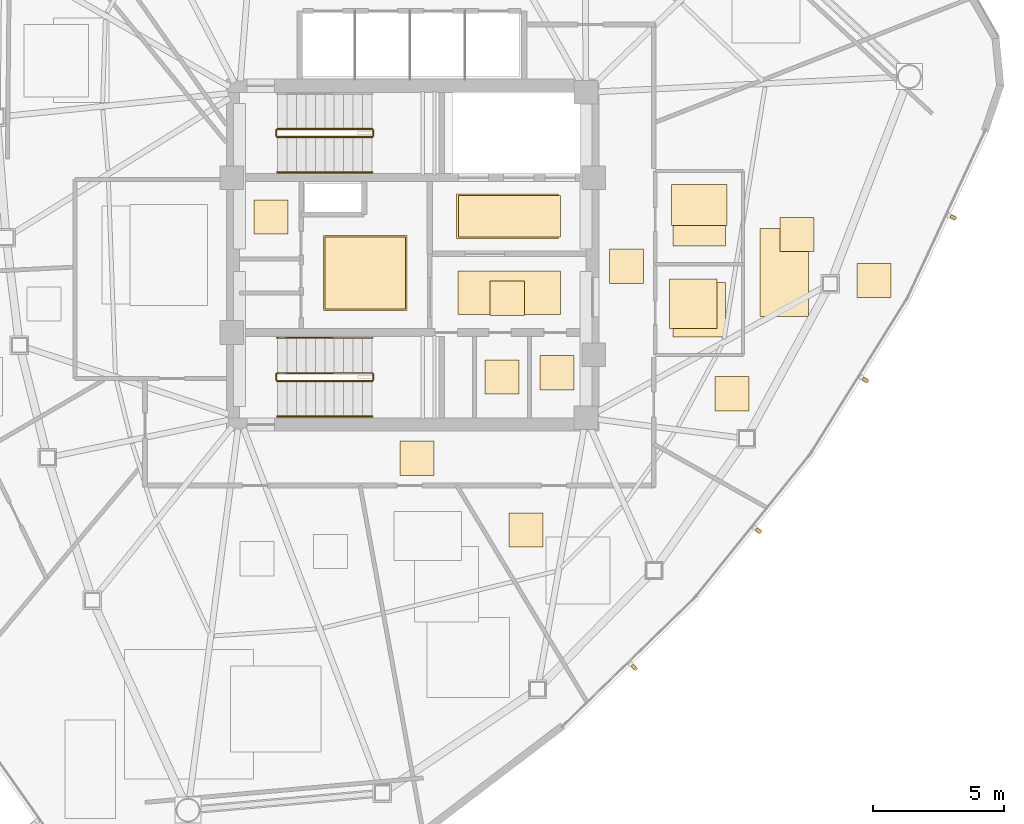
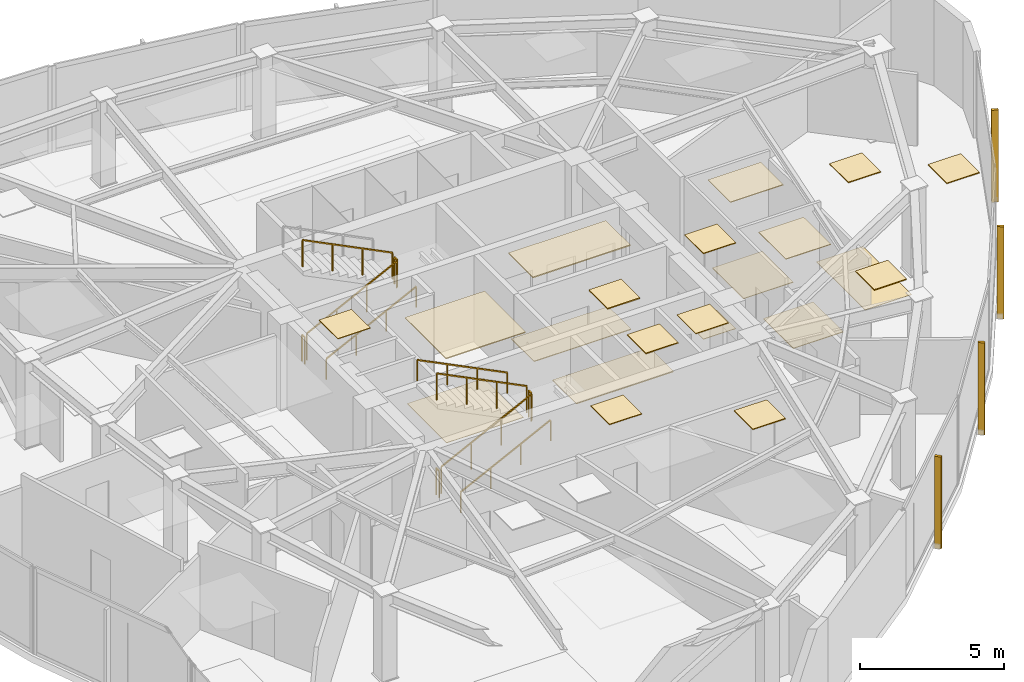
# One storey, part 12 of 13: 21 coverings, 11 railings, 4 shading devices.
"""IFC4 building model written with IfcOpenShell, lengths in metres."""

from ifc_helpers import new_model, si_unit, direction, frame, origin, origin_2d, place, context, subcontext, project, spatial, polyline, rectangle, outline, extrude, source, transform, mapped, material, layer, layer_set, type_object, type_shapes, element, save


model = new_model("IFC4")

# Units and contexts
model_context = context("Model", 3, precision=1e-05, world=origin(), true_north=direction((0.0, 1.0)))
body_context = subcontext(model_context, "Body", "Model", "MODEL_VIEW")
ifc_project = project(units=[si_unit("LENGTHUNIT", "METRE"), si_unit("AREAUNIT", "SQUARE_METRE"), si_unit("VOLUMEUNIT", "CUBIC_METRE"), si_unit("PLANEANGLEUNIT", "RADIAN"), si_unit("MASSUNIT", "GRAM", prefix="KILO")], contexts=[model_context])

# Site, building, storey
site_placement = place(None, origin())
site = spatial("IfcSite", under=ifc_project, at=site_placement, CompositionType="ELEMENT")
building_placement = place(site_placement, origin())
building = spatial("IfcBuilding", under=site, at=building_placement, Name="Tavelor Broadcast Tower", CompositionType="ELEMENT")
storey_placement = place(building_placement, frame((0.0, 0.0, 241.89990234375)))
storey = spatial("IfcBuildingStorey", under=building, at=storey_placement, Name="L57", CompositionType="ELEMENT", Elevation=241.89990234375)

# Coverings
ifc_material_1 = material(Name="Copper-Bronze Anodized Aluminium", Category="aluminium")
ifc_layer_1 = layer(ifc_material_1, 0.044921875)
ifc_layer_set_1 = layer_set([ifc_layer_1], Name="Copper-Bronze Anodized Aluminium")
covering_type_1 = type_object("IfcCoveringType", Name="Anodised Bronze Linear Slatted Concourse Ceiling 45 mm", PredefinedType="CEILING", material=ifc_layer_set_1)
covering_1_placement = place(storey_placement, frame((0.0, 0.0, 3.60498046875)))
element("IfcCovering", 1, at=covering_1_placement, inside=storey, type_object=covering_type_1, Name="L57 Suspended Acoustic Ceiling 2238", PredefinedType="CEILING", context=body_context, shape_type="SweptSolid", body=[
    extrude(outline(polyline([(51.659912109375, 45.6318359375), (55.55712890625, 45.6318359375), (55.55712890625, 47.328125), (51.659912109375, 47.328125), (51.659912109375, 45.6318359375)])), origin(), (0.0, 0.0, 1.0), 0.045166015625),
])
covering_2_placement = place(storey_placement, frame((0.0, 0.0, 3.60498046875)))
element("IfcCovering", 2, at=covering_2_placement, inside=storey, type_object=covering_type_1, Name="L57 Suspended Acoustic Ceiling 2239", PredefinedType="CEILING", context=body_context, shape_type="SweptSolid", body=[
    extrude(outline(polyline([(52.95361328125, 42.705078125), (54.25341796875, 42.705078125), (54.25341796875, 44.0048828125), (52.95361328125, 44.0048828125), (52.95361328125, 42.705078125)])), origin(), (0.0, 0.0, 1.0), 0.045166015625),
])

# Railings
ifc_material_2 = material(Name="Steel S355", Category="steel")
railing_type_1 = type_object("IfcRailingType", Name="Continuous Brushed Stainless Handrail 900 mm", PredefinedType="HANDRAIL", material=ifc_material_2)
for number, where, name in (
    (3, (44.85009765625, 48.14990234375, 0.1796875), "L57 ST1 stair handrail 1"),
    (4, (44.85009765625, 38.85009765625, 0.1796875), "L57 ST2 stair handrail 1"),
):
    element("IfcRailing", number, at=place(storey_placement, frame(where)), inside=storey, type_object=railing_type_1, Name=name, PredefinedType="HANDRAIL", context=body_context, shape_type="SweptSolid", body=[
        extrude(rectangle(XDim=0.048095703125, YDim=0.048095703125, at=origin_2d()), frame((0.0, 0.0, 0.8759765625), z_axis=(0.894875846893, 0.0, 0.446315156192), x_axis=(0.0, 1.0, 0.0)), (0.0, 0.0, 1.0), 4.022705078125),
        extrude(rectangle(XDim=0.0419921875, YDim=0.0419921875, at=origin_2d()), origin(), (0.0, 0.0, 1.0), 0.851806640625),
        extrude(rectangle(XDim=0.0419921875, YDim=0.0419921875, at=origin_2d()), frame((1.199951171875, 0.0, 0.598388671875)), (0.0, 0.0, 1.0), 0.851806640625),
        extrude(rectangle(XDim=0.0419921875, YDim=0.0419921875, at=origin_2d()), frame((2.39990234375, 0.0, 1.197021484375)), (0.0, 0.0, 1.0), 0.851806640625),
        extrude(rectangle(XDim=0.0419921875, YDim=0.0419921875, at=origin_2d()), frame((3.599853515625, 0.0, 1.79541015625)), (0.0, 0.0, 1.0), 0.851806640625),
    ])
railing_1_placement = place(storey_placement, frame((48.449951171875, 41.85009765625, 2.154541015625)))
element("IfcRailing", 5, at=railing_1_placement, inside=storey, type_object=railing_type_1, Name="L57 ST2 stair handrail 2", PredefinedType="HANDRAIL", context=body_context, shape_type="SweptSolid", body=[
    extrude(rectangle(XDim=0.048095703125, YDim=0.048095703125, at=origin_2d()), frame((0.0, 0.0, 0.8759765625), z_axis=(-0.894851606799, 0.0, 0.446363755036), x_axis=(0.0, -1.0, 0.0)), (0.0, 0.0, 1.0), 4.02294921875),
    extrude(rectangle(XDim=0.0419921875, YDim=0.0419921875, at=origin_2d()), origin(), (0.0, 0.0, 1.0), 0.851806640625),
    extrude(rectangle(XDim=0.0419921875, YDim=0.0419921875, at=origin_2d()), frame((-1.199951171875, 0.0, 0.5986328125)), (0.0, 0.0, 1.0), 0.851806640625),
    extrude(rectangle(XDim=0.0419921875, YDim=0.0419921875, at=origin_2d()), frame((-2.39990234375, 0.0, 1.197021484375)), (0.0, 0.0, 1.0), 0.851806640625),
    extrude(rectangle(XDim=0.0419921875, YDim=0.0419921875, at=origin_2d()), frame((-3.599853515625, 0.0, 1.795654296875)), (0.0, 0.0, 1.0), 0.851806640625),
])

# Coverings
ifc_material_3 = material(Name="Architectural Anodized Aluminium", Category="aluminium")
ifc_layer_2 = layer(ifc_material_3, 0.034912109375)
ifc_layer_set_2 = layer_set([ifc_layer_2], Name="Architectural Anodized Aluminium")
covering_type_2 = type_object("IfcCoveringType", Name="Demountable Metal Tile Corridor Ceiling 35 mm", PredefinedType="CEILING", material=ifc_layer_set_2)
covering_3_placement = place(storey_placement, frame((0.0, 0.0, 3.614990234375)))
element("IfcCovering", 6, at=covering_3_placement, inside=storey, type_object=covering_type_2, Name="L57 Suspended Acoustic Ceiling 2244", PredefinedType="CEILING", context=body_context, shape_type="SweptSolid", body=[
    extrude(outline(polyline([(57.489990234375, 43.925048828125), (58.7900390625, 43.925048828125), (58.7900390625, 45.22509765625), (57.489990234375, 45.22509765625), (57.489990234375, 43.925048828125)])), origin(), (0.0, 0.0, 1.0), 0.03515625),
])
covering_4_placement = place(storey_placement, frame((0.0, 0.0, 3.614990234375)))
element("IfcCovering", 7, at=covering_4_placement, inside=storey, type_object=covering_type_2, Name="L57 Suspended Acoustic Ceiling 2245", PredefinedType="CEILING", context=body_context, shape_type="SweptSolid", body=[
    extrude(outline(polyline([(49.510498046875, 36.610107421875), (50.810302734375, 36.610107421875), (50.810302734375, 37.909912109375), (49.510498046875, 37.909912109375), (49.510498046875, 36.610107421875)])), origin(), (0.0, 0.0, 1.0), 0.03515625),
])
ifc_material_4 = material(Name="Acoustic Nylon Carpet Tile")
ifc_layer_3 = layer(ifc_material_4, 0.02001953125)
ifc_layer_set_3 = layer_set([ifc_layer_3], Name="Acoustic Nylon Carpet Tile")
covering_type_3 = type_object("IfcCoveringType", Name="Heavy-Duty Acoustic Broadcast Carpet Tile 20 mm", PredefinedType="FLOORING", material=ifc_layer_set_3)
covering_5_placement = place(storey_placement, origin())
element("IfcCovering", 8, at=covering_5_placement, inside=storey, type_object=covering_type_3, Name="L57 Broadcast Floor Finish 0836", PredefinedType="FLOORING", context=body_context, shape_type="SweptSolid", body=[
    extrude(outline(polyline([(46.6591796875, 42.953369140625), (49.730712890625, 42.953369140625), (49.730712890625, 45.6865234375), (46.6591796875, 45.6865234375), (46.6591796875, 42.953369140625)])), origin(), (0.0, 0.0, 1.0), 0.02001953125),
])
covering_6_placement = place(storey_placement, origin())
element("IfcCovering", 9, at=covering_6_placement, inside=storey, type_object=covering_type_3, Name="L57 Broadcast Floor Finish 0837", PredefinedType="FLOORING", context=body_context, shape_type="SweptSolid", body=[
    extrude(outline(polyline([(57.489990234375, 43.925048828125), (58.7900390625, 43.925048828125), (58.7900390625, 45.22509765625), (57.489990234375, 45.22509765625), (57.489990234375, 43.925048828125)])), origin(), (0.0, 0.0, 1.0), 0.02001953125),
])
covering_7_placement = place(storey_placement, origin())
element("IfcCovering", 10, at=covering_7_placement, inside=storey, type_object=covering_type_3, Name="L57 Broadcast Floor Finish 0847", PredefinedType="FLOORING", context=body_context, shape_type="SweptSolid", body=[
    extrude(outline(polyline([(63.22509765625, 42.65576171875), (65.084228515625, 42.65576171875), (65.084228515625, 46.01904296875), (63.22509765625, 46.01904296875), (63.22509765625, 42.65576171875)])), origin(), (0.0, 0.0, 1.0), 0.02001953125),
])
ifc_material_5 = material(Name="Honed Natural Limestone Tile", Category="masonry")
ifc_layer_4 = layer(ifc_material_5, 0.030029296875)
ifc_layer_set_4 = layer_set([ifc_layer_4], Name="Honed Natural Limestone Tile")
covering_type_4 = type_object("IfcCoveringType", Name="Honed Jerusalem Limestone Concourse Flooring 30 mm", PredefinedType="FLOORING", material=ifc_layer_set_4)
covering_8_placement = place(storey_placement, origin())
element("IfcCovering", 11, at=covering_8_placement, inside=storey, type_object=covering_type_4, Name="L57 Broadcast Floor Finish 0834", PredefinedType="FLOORING", context=body_context, shape_type="SweptSolid", body=[
    extrude(outline(polyline([(51.7373046875, 45.689453125), (55.62255859375, 45.689453125), (55.62255859375, 47.2705078125), (51.7373046875, 47.2705078125), (51.7373046875, 45.689453125)])), origin(), (0.0, 0.0, 1.0), 0.030029296875),
])
covering_9_placement = place(storey_placement, origin())
element("IfcCovering", 12, at=covering_9_placement, inside=storey, type_object=covering_type_4, Name="L57 Broadcast Floor Finish 0835", PredefinedType="FLOORING", context=body_context, shape_type="SweptSolid", body=[
    extrude(outline(polyline([(51.728759765625, 42.743408203125), (55.62109375, 42.743408203125), (55.62109375, 44.396484375), (51.728759765625, 44.396484375), (51.728759765625, 42.743408203125)])), origin(), (0.0, 0.0, 1.0), 0.030029296875),
])
ifc_layer_5 = layer(ifc_material_3, 0.030029296875)
ifc_layer_set_5 = layer_set([ifc_layer_5], Name="Architectural Anodized Aluminium")
covering_type_5 = type_object("IfcCoveringType", Name="Moisture-Resistant Washroom Ceiling 30 mm", PredefinedType="CEILING", material=ifc_layer_set_5)
covering_10_placement = place(storey_placement, frame((0.0, 0.0, 3.6201171875)))
element("IfcCovering", 13, at=covering_10_placement, inside=storey, type_object=covering_type_5, Name="L57 Suspended Acoustic Ceiling 2242", PredefinedType="CEILING", context=body_context, shape_type="SweptSolid", body=[
    extrude(outline(polyline([(54.843505859375, 39.866455078125), (56.1435546875, 39.866455078125), (56.1435546875, 41.16650390625), (54.843505859375, 41.16650390625), (54.843505859375, 39.866455078125)])), origin(), (0.0, 0.0, 1.0), 0.030029296875),
])
covering_11_placement = place(storey_placement, frame((0.0, 0.0, 3.6201171875)))
element("IfcCovering", 14, at=covering_11_placement, inside=storey, type_object=covering_type_5, Name="L57 Suspended Acoustic Ceiling 2243", PredefinedType="CEILING", context=body_context, shape_type="SweptSolid", body=[
    extrude(outline(polyline([(43.951416015625, 45.794921875), (45.25146484375, 45.794921875), (45.25146484375, 47.094970703125), (43.951416015625, 47.094970703125), (43.951416015625, 45.794921875)])), origin(), (0.0, 0.0, 1.0), 0.030029296875),
])
covering_12_placement = place(storey_placement, frame((0.0, 0.0, 3.6201171875)))
element("IfcCovering", 15, at=covering_12_placement, inside=storey, type_object=covering_type_5, Name="L57 Suspended Acoustic Ceiling 2247", PredefinedType="CEILING", context=body_context, shape_type="SweptSolid", body=[
    extrude(outline(polyline([(59.79150390625, 42.2001953125), (61.589599609375, 42.2001953125), (61.589599609375, 44.08203125), (59.79150390625, 44.08203125), (59.79150390625, 42.2001953125)])), origin(), (0.0, 0.0, 1.0), 0.030029296875),
])
covering_13_placement = place(storey_placement, frame((0.0, 0.0, 3.6201171875)))
element("IfcCovering", 16, at=covering_13_placement, inside=storey, type_object=covering_type_5, Name="L57 Suspended Acoustic Ceiling 2248", PredefinedType="CEILING", context=body_context, shape_type="SweptSolid", body=[
    extrude(outline(polyline([(59.85302734375, 46.13623046875), (61.967041015625, 46.13623046875), (61.967041015625, 47.69482421875), (59.85302734375, 47.69482421875), (59.85302734375, 46.13623046875)])), origin(), (0.0, 0.0, 1.0), 0.030029296875),
])
ifc_material_6 = material(Name="Slip-Resistant Porcelain Tile")
ifc_layer_6 = layer(ifc_material_6, 0.02490234375)
ifc_layer_set_6 = layer_set([ifc_layer_6], Name="Slip-Resistant Porcelain Tile")
covering_type_6 = type_object("IfcCoveringType", Name="Slip-Resistant Porcelain Wet-Area Floor Tile 25 mm", PredefinedType="FLOORING", material=ifc_layer_set_6)
covering_14_placement = place(storey_placement, origin())
element("IfcCovering", 17, at=covering_14_placement, inside=storey, type_object=covering_type_6, Name="L57 Broadcast Floor Finish 0839", PredefinedType="FLOORING", context=body_context, shape_type="SweptSolid", body=[
    extrude(outline(polyline([(59.91064453125, 41.885986328125), (61.909423828125, 41.885986328125), (61.909423828125, 43.964111328125), (59.91064453125, 43.964111328125), (59.91064453125, 41.885986328125)])), origin(), (0.0, 0.0, 1.0), 0.025146484375),
])
covering_15_placement = place(storey_placement, origin())
element("IfcCovering", 18, at=covering_15_placement, inside=storey, type_object=covering_type_6, Name="L57 Broadcast Floor Finish 0840", PredefinedType="FLOORING", context=body_context, shape_type="SweptSolid", body=[
    extrude(outline(polyline([(59.91064453125, 45.35009765625), (61.909423828125, 45.35009765625), (61.909423828125, 47.5), (59.91064453125, 47.5), (59.91064453125, 45.35009765625)])), origin(), (0.0, 0.0, 1.0), 0.025146484375),
])

# Railings
railing_type_2 = type_object("IfcRailingType", Name="Stairwell Steel Safety Guardrail 1150 mm", PredefinedType="GUARDRAIL", material=ifc_material_2)
railing_2_placement = place(storey_placement, frame((44.85009765625, 49.5, 0.1796875)))
element("IfcRailing", 19, at=railing_2_placement, inside=storey, type_object=railing_type_2, Name="L57 ST1 stair guard 1", PredefinedType="GUARDRAIL", context=body_context, shape_type="SweptSolid", body=[
    extrude(rectangle(XDim=0.048095703125, YDim=0.048095703125, at=origin_2d()), frame((0.0, 0.0, 1.1259765625), z_axis=(0.894875846893, 0.0, 0.446315156192), x_axis=(0.0, 1.0, 0.0)), (0.0, 0.0, 1.0), 4.022705078125),
    extrude(rectangle(XDim=0.0419921875, YDim=0.0419921875, at=origin_2d()), origin(), (0.0, 0.0, 1.0), 1.101806640625),
    extrude(rectangle(XDim=0.0419921875, YDim=0.0419921875, at=origin_2d()), frame((1.199951171875, 0.0, 0.598388671875)), (0.0, 0.0, 1.0), 1.101806640625),
    extrude(rectangle(XDim=0.0419921875, YDim=0.0419921875, at=origin_2d()), frame((2.39990234375, 0.0, 1.197021484375)), (0.0, 0.0, 1.0), 1.101806640625),
    extrude(rectangle(XDim=0.0419921875, YDim=0.0419921875, at=origin_2d()), frame((3.599853515625, 0.0, 1.79541015625)), (0.0, 0.0, 1.0), 1.101806640625),
])
railing_3_placement = place(storey_placement, frame((48.5, 49.550048828125, 1.97509765625)))
element("IfcRailing", 20, at=railing_3_placement, inside=storey, type_object=railing_type_2, Name="L57 ST1 stair guard 2", PredefinedType="GUARDRAIL", context=body_context, shape_type="SweptSolid", body=[
    extrude(rectangle(XDim=0.048095703125, YDim=0.048095703125, at=origin_2d()), frame((0.0, 0.0, 1.1259765625), z_axis=(0.0, 1.0, 0.0), x_axis=(-1.0, 0.0, 0.0)), (0.0, 0.0, 1.0), 0.199951171875),
    extrude(rectangle(XDim=0.0419921875, YDim=0.0419921875, at=origin_2d()), origin(), (0.0, 0.0, 1.0), 1.101806640625),
    extrude(rectangle(XDim=0.0419921875, YDim=0.0419921875, at=origin_2d()), frame((0.0, 0.199951171875, 0.0)), (0.0, 0.0, 1.0), 1.101806640625),
])
railing_4_placement = place(storey_placement, frame((48.449951171875, 49.800048828125, 2.154541015625)))
element("IfcRailing", 21, at=railing_4_placement, inside=storey, type_object=railing_type_2, Name="L57 ST1 stair guard 3", PredefinedType="GUARDRAIL", context=body_context, shape_type="SweptSolid", body=[
    extrude(rectangle(XDim=0.048095703125, YDim=0.048095703125, at=origin_2d()), frame((0.0, 0.0, 1.1259765625), z_axis=(-0.894851606799, 0.0, 0.446363755036), x_axis=(0.0, -1.0, 0.0)), (0.0, 0.0, 1.0), 4.02294921875),
    extrude(rectangle(XDim=0.0419921875, YDim=0.0419921875, at=origin_2d()), origin(), (0.0, 0.0, 1.0), 1.101806640625),
    extrude(rectangle(XDim=0.0419921875, YDim=0.0419921875, at=origin_2d()), frame((-1.199951171875, 0.0, 0.5986328125)), (0.0, 0.0, 1.0), 1.101806640625),
    extrude(rectangle(XDim=0.0419921875, YDim=0.0419921875, at=origin_2d()), frame((-2.39990234375, 0.0, 1.197021484375)), (0.0, 0.0, 1.0), 1.101806640625),
    extrude(rectangle(XDim=0.0419921875, YDim=0.0419921875, at=origin_2d()), frame((-3.599853515625, 0.0, 1.795654296875)), (0.0, 0.0, 1.0), 1.101806640625),
])
railing_5_placement = place(storey_placement, frame((44.800048828125, 49.550048828125, 0.0)))
element("IfcRailing", 22, at=railing_5_placement, inside=storey, type_object=railing_type_2, Name="L57 ST1 stair guard 4", PredefinedType="GUARDRAIL", context=body_context, shape_type="SweptSolid", body=[
    extrude(rectangle(XDim=0.048095703125, YDim=0.048095703125, at=origin_2d()), frame((0.0, 0.0, 1.1259765625), z_axis=(0.0, 1.0, 0.0), x_axis=(-1.0, 0.0, 0.0)), (0.0, 0.0, 1.0), 0.199951171875),
    extrude(rectangle(XDim=0.0419921875, YDim=0.0419921875, at=origin_2d()), origin(), (0.0, 0.0, 1.0), 1.101806640625),
    extrude(rectangle(XDim=0.0419921875, YDim=0.0419921875, at=origin_2d()), frame((0.0, 0.199951171875, 0.0)), (0.0, 0.0, 1.0), 1.101806640625),
])
railing_6_placement = place(storey_placement, frame((44.85009765625, 40.199951171875, 0.1796875)))
element("IfcRailing", 23, at=railing_6_placement, inside=storey, type_object=railing_type_2, Name="L57 ST2 stair guard 1", PredefinedType="GUARDRAIL", context=body_context, shape_type="SweptSolid", body=[
    extrude(rectangle(XDim=0.048095703125, YDim=0.048095703125, at=origin_2d()), frame((0.0, 0.0, 1.1259765625), z_axis=(0.894875846893, 0.0, 0.446315156192), x_axis=(0.0, 1.0, 0.0)), (0.0, 0.0, 1.0), 4.022705078125),
    extrude(rectangle(XDim=0.0419921875, YDim=0.0419921875, at=origin_2d()), origin(), (0.0, 0.0, 1.0), 1.101806640625),
    extrude(rectangle(XDim=0.0419921875, YDim=0.0419921875, at=origin_2d()), frame((1.199951171875, 0.0, 0.598388671875)), (0.0, 0.0, 1.0), 1.101806640625),
    extrude(rectangle(XDim=0.0419921875, YDim=0.0419921875, at=origin_2d()), frame((2.39990234375, 0.0, 1.197021484375)), (0.0, 0.0, 1.0), 1.101806640625),
    extrude(rectangle(XDim=0.0419921875, YDim=0.0419921875, at=origin_2d()), frame((3.599853515625, 0.0, 1.79541015625)), (0.0, 0.0, 1.0), 1.101806640625),
])
railing_7_placement = place(storey_placement, frame((48.5, 40.25, 1.97509765625)))
element("IfcRailing", 24, at=railing_7_placement, inside=storey, type_object=railing_type_2, Name="L57 ST2 stair guard 2", PredefinedType="GUARDRAIL", context=body_context, shape_type="SweptSolid", body=[
    extrude(rectangle(XDim=0.048095703125, YDim=0.048095703125, at=origin_2d()), frame((0.0, 0.0, 1.1259765625), z_axis=(0.0, 1.0, 0.0), x_axis=(-1.0, 0.0, 0.0)), (0.0, 0.0, 1.0), 0.199951171875),
    extrude(rectangle(XDim=0.0419921875, YDim=0.0419921875, at=origin_2d()), origin(), (0.0, 0.0, 1.0), 1.101806640625),
    extrude(rectangle(XDim=0.0419921875, YDim=0.0419921875, at=origin_2d()), frame((0.0, 0.199951171875, 0.0)), (0.0, 0.0, 1.0), 1.101806640625),
])
railing_8_placement = place(storey_placement, frame((48.449951171875, 40.5, 2.154541015625)))
element("IfcRailing", 25, at=railing_8_placement, inside=storey, type_object=railing_type_2, Name="L57 ST2 stair guard 3", PredefinedType="GUARDRAIL", context=body_context, shape_type="SweptSolid", body=[
    extrude(rectangle(XDim=0.048095703125, YDim=0.048095703125, at=origin_2d()), frame((0.0, 0.0, 1.1259765625), z_axis=(-0.894851606799, 0.0, 0.446363755036), x_axis=(0.0, -1.0, 0.0)), (0.0, 0.0, 1.0), 4.02294921875),
    extrude(rectangle(XDim=0.0419921875, YDim=0.0419921875, at=origin_2d()), origin(), (0.0, 0.0, 1.0), 1.101806640625),
    extrude(rectangle(XDim=0.0419921875, YDim=0.0419921875, at=origin_2d()), frame((-1.199951171875, 0.0, 0.5986328125)), (0.0, 0.0, 1.0), 1.101806640625),
    extrude(rectangle(XDim=0.0419921875, YDim=0.0419921875, at=origin_2d()), frame((-2.39990234375, 0.0, 1.197021484375)), (0.0, 0.0, 1.0), 1.101806640625),
    extrude(rectangle(XDim=0.0419921875, YDim=0.0419921875, at=origin_2d()), frame((-3.599853515625, 0.0, 1.795654296875)), (0.0, 0.0, 1.0), 1.101806640625),
])
railing_9_placement = place(storey_placement, frame((44.800048828125, 40.25, 0.0)))
element("IfcRailing", 26, at=railing_9_placement, inside=storey, type_object=railing_type_2, Name="L57 ST2 stair guard 4", PredefinedType="GUARDRAIL", context=body_context, shape_type="SweptSolid", body=[
    extrude(rectangle(XDim=0.048095703125, YDim=0.048095703125, at=origin_2d()), frame((0.0, 0.0, 1.1259765625), z_axis=(0.0, 1.0, 0.0), x_axis=(-1.0, 0.0, 0.0)), (0.0, 0.0, 1.0), 0.199951171875),
    extrude(rectangle(XDim=0.0419921875, YDim=0.0419921875, at=origin_2d()), origin(), (0.0, 0.0, 1.0), 1.101806640625),
    extrude(rectangle(XDim=0.0419921875, YDim=0.0419921875, at=origin_2d()), frame((0.0, 0.199951171875, 0.0)), (0.0, 0.0, 1.0), 1.101806640625),
])

# Coverings
ifc_material_7 = material(Name="Acoustic Mineral Fibre Tile")
ifc_layer_7 = layer(ifc_material_7, 0.0400390625)
ifc_layer_set_7 = layer_set([ifc_layer_7], Name="Acoustic Mineral Fibre Tile")
covering_type_7 = type_object("IfcCoveringType", Name="Suspended Acoustic Mineral-Fibre Office Ceiling 40 mm", PredefinedType="CEILING", material=ifc_layer_set_7)
covering_16_placement = place(storey_placement, frame((0.0, 0.0, 3.610107421875)))
element("IfcCovering", 27, at=covering_16_placement, inside=storey, type_object=covering_type_7, Name="L57 Suspended Acoustic Ceiling 2240", PredefinedType="CEILING", context=body_context, shape_type="SweptSolid", body=[
    extrude(outline(polyline([(46.6015625, 42.895751953125), (49.788330078125, 42.895751953125), (49.788330078125, 45.744140625), (46.6015625, 45.744140625), (46.6015625, 42.895751953125)])), origin(), (0.0, 0.0, 1.0), 0.0400390625),
])
covering_17_placement = place(storey_placement, frame((0.0, 0.0, 3.610107421875)))
element("IfcCovering", 28, at=covering_17_placement, inside=storey, type_object=covering_type_7, Name="L57 Suspended Acoustic Ceiling 2241", PredefinedType="CEILING", context=body_context, shape_type="SweptSolid", body=[
    extrude(outline(polyline([(52.75, 39.699951171875), (54.050048828125, 39.699951171875), (54.050048828125, 41.0), (52.75, 41.0), (52.75, 39.699951171875)])), origin(), (0.0, 0.0, 1.0), 0.0400390625),
])
covering_18_placement = place(storey_placement, frame((0.0, 0.0, 3.610107421875)))
element("IfcCovering", 29, at=covering_18_placement, inside=storey, type_object=covering_type_7, Name="L57 Suspended Acoustic Ceiling 2249", PredefinedType="CEILING", context=body_context, shape_type="SweptSolid", body=[
    extrude(outline(polyline([(53.669677734375, 33.87744140625), (54.9697265625, 33.87744140625), (54.9697265625, 35.177490234375), (53.669677734375, 35.177490234375), (53.669677734375, 33.87744140625)])), origin(), (0.0, 0.0, 1.0), 0.0400390625),
])
covering_19_placement = place(storey_placement, frame((0.0, 0.0, 3.610107421875)))
element("IfcCovering", 30, at=covering_19_placement, inside=storey, type_object=covering_type_7, Name="L57 Suspended Acoustic Ceiling 2267", PredefinedType="CEILING", context=body_context, shape_type="SweptSolid", body=[
    extrude(outline(polyline([(61.518798828125, 39.069580078125), (62.81884765625, 39.069580078125), (62.81884765625, 40.369384765625), (61.518798828125, 40.369384765625), (61.518798828125, 39.069580078125)])), origin(), (0.0, 0.0, 1.0), 0.0400390625),
])
covering_20_placement = place(storey_placement, frame((0.0, 0.0, 3.610107421875)))
element("IfcCovering", 31, at=covering_20_placement, inside=storey, type_object=covering_type_7, Name="L57 Suspended Acoustic Ceiling 2268", PredefinedType="CEILING", context=body_context, shape_type="SweptSolid", body=[
    extrude(outline(polyline([(63.98291015625, 45.1328125), (65.28271484375, 45.1328125), (65.28271484375, 46.4326171875), (63.98291015625, 46.4326171875), (63.98291015625, 45.1328125)])), origin(), (0.0, 0.0, 1.0), 0.0400390625),
])
covering_21_placement = place(storey_placement, frame((0.0, 0.0, 3.610107421875)))
element("IfcCovering", 32, at=covering_21_placement, inside=storey, type_object=covering_type_7, Name="L57 Suspended Acoustic Ceiling 2269", PredefinedType="CEILING", context=body_context, shape_type="SweptSolid", body=[
    extrude(outline(polyline([(66.916259765625, 43.3828125), (68.21630859375, 43.3828125), (68.21630859375, 44.6826171875), (66.916259765625, 44.6826171875), (66.916259765625, 43.3828125)])), origin(), (0.0, 0.0, 1.0), 0.0400390625),
])

# Shading devices
ifc_material_8 = material(Name="Kiln-Fired Glazed Terracotta", Category="masonry")
shading_device_type = type_object("IfcShadingDeviceType", Name="Extruded Terracotta Baguette Sun-Screen 110x240", PredefinedType="JALOUSIE", material=ifc_material_8)
shared_shape = source(origin(), body_context, "Body", "SweptSolid", [
    extrude(rectangle(XDim=0.110107421875, YDim=0.239990234375, at=origin_2d()), origin(), (0.0, 0.0, 1.0), 3.889892578125),
])
type_shapes(shading_device_type, [shared_shape])
for number, where, z_axis, x_axis, name in (
    (33, (58.433349609375, 29.290771484375, -0.259765625), (0.0, 0.0, 1.0), (0.7165454746, 0.697540380788, 0.0), "L57 Terracotta Baguette Fin 593"),
    (34, (63.171875, 34.498291015625, -0.259765625), (0.0, 0.0, 1.0), (0.626875813454, 0.779119191464, 0.0), "L57 Terracotta Baguette Fin 594"),
    (35, (67.245361328125, 40.240966796875, -0.259765625), (0.0, 0.0, 1.0), (0.52814195551, 0.84915609568, 0.0), "L57 Terracotta Baguette Fin 595"),
    (36, (70.593994140625, 46.43408203125, -0.259765625), (0.0, 0.0, 1.0), (0.4213524058, 0.90689698981, 0.0), "L57 Terracotta Baguette Fin 596"),
):
    element("IfcShadingDevice", number, at=place(storey_placement, frame(where, z_axis=z_axis, x_axis=x_axis)), inside=storey, type_object=shading_device_type, Name=name, PredefinedType="JALOUSIE", context=body_context, shape_type="MappedRepresentation", body=[
        mapped(shared_shape, transform((0.0, 0.0, 0.0), scale=1.0)),
    ])

save(model, "model.ifc")
